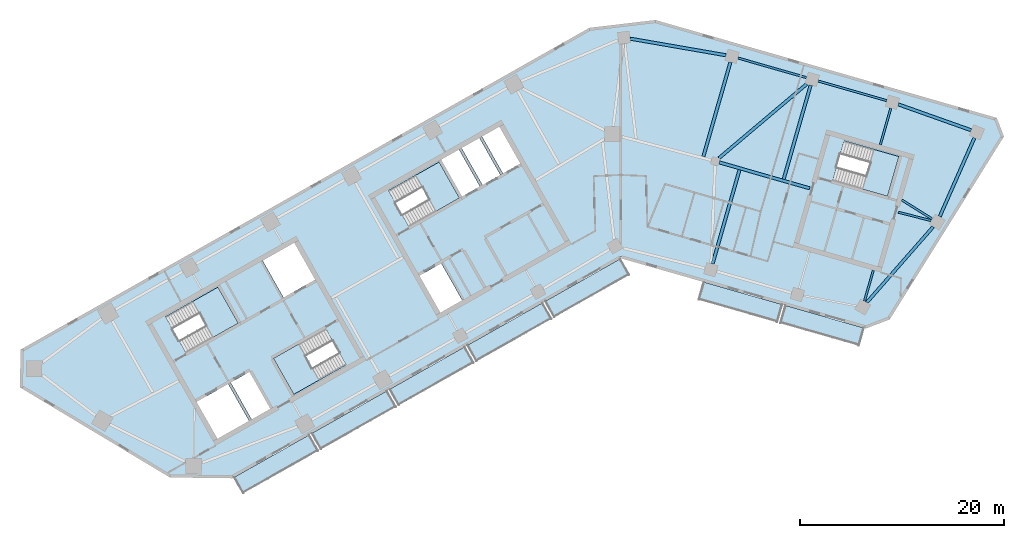
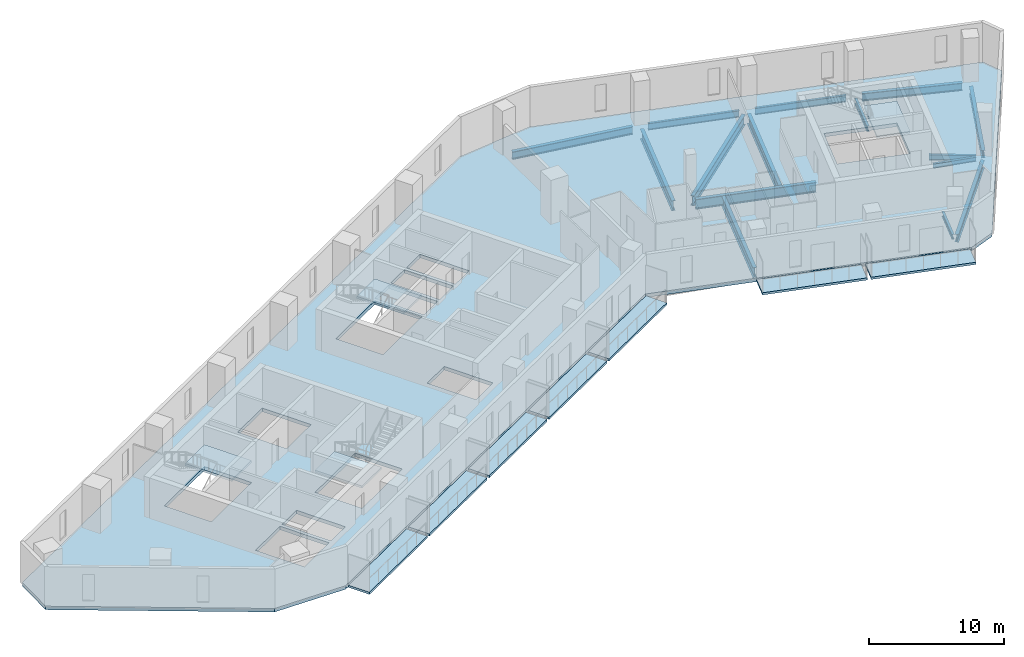
# One storey, part 2 of 9: 15 beams, 12 slabs, 4 elements without a shape of their own.
"""IFC4 building model written with IfcOpenShell, lengths in metres."""

from ifc_helpers import new_model, si_unit, direction, frame, origin, origin_2d, place, context, subcontext, project, spatial, polyline, i_section, outline, extrude, material, layer, layer_set, material_profile, profile_set, type_object, element, aggregate, save


model = new_model("IFC4")

# Units and contexts
model_context = context("Model", 3, precision=1e-05, world=origin(), true_north=direction((0.0, 1.0)))
body_context = subcontext(model_context, "Body", "Model", "MODEL_VIEW")
ifc_project = project(units=[si_unit("LENGTHUNIT", "METRE"), si_unit("AREAUNIT", "SQUARE_METRE"), si_unit("VOLUMEUNIT", "CUBIC_METRE"), si_unit("PLANEANGLEUNIT", "RADIAN"), si_unit("MASSUNIT", "GRAM", prefix="KILO")], contexts=[model_context])

# Site, building, storey
site_placement = place(None, origin())
site = spatial("IfcSite", under=ifc_project, at=site_placement, CompositionType="ELEMENT")
building_placement = place(site_placement, origin())
building = spatial("IfcBuilding", under=site, at=building_placement, Name="Binnacle Exchange Tower", CompositionType="ELEMENT")
storey_placement = place(building_placement, frame((0.0, 0.0, 174.89990234375)))
storey = spatial("IfcBuildingStorey", under=building, at=storey_placement, Name="L37", CompositionType="ELEMENT", Elevation=174.89990234375)

# Beams
ifc_material_1 = material(Name="Steel S355 (SHN355)", Category="steel")
ifc_material_profile_1 = material_profile(ifc_material_1, i_section(OverallWidth=0.201904296875, OverallDepth=0.612060546875, WebThickness=0.012939453125, FlangeThickness=0.02294921875, FilletRadius=0.02197265625, at=origin_2d()), Name="H 612x202x13x23")
ifc_profile_set_1 = profile_set([ifc_material_profile_1], Name="Steel S355 (SHN355)")
beam_type_1 = type_object("IfcBeamType", Name="Edge girder H 612x202x13x23 Steel S355 (SHN355)", PredefinedType="SPANDREL", material=ifc_profile_set_1)
for number, where, z_axis, x_axis, name in (
    (1, (18.16943359375, 65.54150390625, -0.6259765625), (-0.961255274252, 0.275659749916, 0.0), (-0.275659749916, -0.961255274252, 0.0), "S:BM:edge:L37:029"),
    (2, (26.02587890625, 63.288818359375, -0.6259765625), (-0.961267211469, 0.275618120149, 0.0), (-0.275618120149, -0.961267211469, 0.0), "S:BM:edge:L37:031"),
):
    element("IfcBeam", number, at=place(storey_placement, frame(where, z_axis=z_axis, x_axis=x_axis)), inside=storey, type_object=beam_type_1, Name=name, PredefinedType="SPANDREL", context=body_context, shape_type="SweptSolid", body=[
        extrude(i_section(OverallWidth=0.201904296875, OverallDepth=0.612060546875, WebThickness=0.012939453125, FlangeThickness=0.02294921875, FilletRadius=0.02197265625, at=origin_2d()), origin(), (0.0, 0.0, 1.0), 6.972900390625),
    ])
ifc_material_profile_2 = material_profile(ifc_material_1, i_section(OverallWidth=0.300048828125, OverallDepth=0.699951171875, WebThickness=0.012939453125, FlangeThickness=0.02392578125, FilletRadius=0.028076171875, at=origin_2d()), Name="H 700x300x13x24")
ifc_profile_set_2 = profile_set([ifc_material_profile_2], Name="Steel S355 (SHN355)")
beam_type_2 = type_object("IfcBeamType", Name="Edge girder H 700x300x13x24 Steel S355 (SHN355)", PredefinedType="SPANDREL", material=ifc_profile_set_2)
beam_1_placement = place(storey_placement, frame((31.234130859375, 51.94091796875, -0.669921875), z_axis=(0.403470856186, 0.914992496258, 0.0), x_axis=(-0.914992496258, 0.403470856186, 0.0)))
element("IfcBeam", 3, at=beam_1_placement, inside=storey, type_object=beam_type_2, Name="S:BM:edge:L37:032", PredefinedType="SPANDREL", context=body_context, shape_type="SweptSolid", body=[
    extrude(i_section(OverallWidth=0.300048828125, OverallDepth=0.699951171875, WebThickness=0.012939453125, FlangeThickness=0.02392578125, FilletRadius=0.028076171875, at=origin_2d()), origin(), (0.0, 0.0, 1.0), 8.412109375),
])
beam_2_placement = place(storey_placement, frame((34.30419921875, 60.38818359375, -0.669921875), z_axis=(-0.942327723458, 0.334691591771, 0.0), x_axis=(-0.334691591771, -0.942327723458, 0.0)))
element("IfcBeam", 4, at=beam_2_placement, inside=storey, type_object=beam_type_2, Name="S:BM:edge:L37:033", PredefinedType="SPANDREL", context=body_context, shape_type="SweptSolid", body=[
    extrude(i_section(OverallWidth=0.300048828125, OverallDepth=0.699951171875, WebThickness=0.012939453125, FlangeThickness=0.02392578125, FilletRadius=0.028076171875, at=origin_2d()), origin(), (0.0, 0.0, 1.0), 7.57177734375),
])
ifc_material_profile_3 = material_profile(ifc_material_1, i_section(OverallWidth=0.302001953125, OverallDepth=0.7080078125, WebThickness=0.014892578125, FlangeThickness=0.028076171875, FilletRadius=0.028076171875, at=origin_2d()), Name="H 708x302x15x28")
ifc_profile_set_3 = profile_set([ifc_material_profile_3], Name="Steel S355 (SHN355)")
beam_type_3 = type_object("IfcBeamType", Name="Edge girder H 708x302x15x28 Steel S355 (SHN355)", PredefinedType="SPANDREL", material=ifc_profile_set_3)
beam_3_placement = place(storey_placement, frame((10.29541015625, 67.73193359375, -0.673828125), z_axis=(-0.985309861954, 0.170776098841, 0.0), x_axis=(-0.170776098841, -0.985309861954, 0.0)))
element("IfcBeam", 5, at=beam_3_placement, inside=storey, type_object=beam_type_3, Name="S:BM:edge:L37:027", PredefinedType="SPANDREL", context=body_context, shape_type="SweptSolid", body=[
    extrude(i_section(OverallWidth=0.302001953125, OverallDepth=0.7080078125, WebThickness=0.014892578125, FlangeThickness=0.028076171875, FilletRadius=0.028076171875, at=origin_2d()), origin(), (0.0, 0.0, 1.0), 9.518310546875),
])
beam_4_placement = place(storey_placement, frame((24.09326171875, 43.5224609375, -0.673828125), z_axis=(0.659335841855, 0.751848553663, 0.0), x_axis=(-0.751848553663, 0.659335841855, 0.0)))
element("IfcBeam", 6, at=beam_4_placement, inside=storey, type_object=beam_type_3, Name="S:BM:edge:L37:030", PredefinedType="SPANDREL", context=body_context, shape_type="SweptSolid", body=[
    extrude(i_section(OverallWidth=0.302001953125, OverallDepth=0.7080078125, WebThickness=0.014892578125, FlangeThickness=0.028076171875, FilletRadius=0.028076171875, at=origin_2d()), origin(), (0.0, 0.0, 1.0), 9.851318359375),
])
ifc_material_profile_4 = material_profile(ifc_material_1, i_section(OverallWidth=0.199951171875, OverallDepth=0.449951171875, WebThickness=0.009033203125, FlangeThickness=0.013916015625, FilletRadius=0.01806640625, at=origin_2d()), Name="H 450x200x9x14")
ifc_profile_set_4 = profile_set([ifc_material_profile_4], Name="Steel S355 (SHN355)")
beam_type_4 = type_object("IfcBeamType", Name="Floor beam H 450x200x9x14 Steel S355 (SHN355)", PredefinedType="BEAM", material=ifc_profile_set_4)
beam_5_placement = place(storey_placement, frame((23.860595703125, 43.6572265625, -0.544921875), z_axis=(0.275637043779, 0.961261785414, 0.0), x_axis=(-0.961261785414, 0.275637043779, 0.0)))
element("IfcBeam", 7, at=beam_5_placement, inside=storey, type_object=beam_type_4, Name="S:BM:cross:L37:051", PredefinedType="BEAM", context=body_context, shape_type="SweptSolid", body=[
    extrude(i_section(OverallWidth=0.199951171875, OverallDepth=0.449951171875, WebThickness=0.009033203125, FlangeThickness=0.013916015625, FilletRadius=0.01806640625, at=origin_2d()), origin(), (0.0, 0.0, 1.0), 3.1328125),
])
ifc_material_profile_5 = material_profile(ifc_material_1, i_section(OverallWidth=0.199951171875, OverallDepth=0.5, WebThickness=0.010009765625, FlangeThickness=0.01611328125, FilletRadius=0.02001953125, at=origin_2d()), Name="H 500x200x10x16")
ifc_profile_set_5 = profile_set([ifc_material_profile_5], Name="Steel S355 (SHN355)")
beam_type_5 = type_object("IfcBeamType", Name="Floor beam H 500x200x10x16 Steel S355 (SHN355)", PredefinedType="BEAM", material=ifc_profile_set_5)
beam_6_placement = place(storey_placement, frame((26.437255859375, 62.546630859375, -0.56982421875), z_axis=(-0.275644746045, -0.961259576794, 0.0), x_axis=(0.961259576794, -0.275644746045, 0.0)))
element("IfcBeam", 8, at=beam_6_placement, inside=storey, type_object=beam_type_5, Name="S:BM:cross:L37:052", PredefinedType="BEAM", context=body_context, shape_type="SweptSolid", body=[
    extrude(i_section(OverallWidth=0.199951171875, OverallDepth=0.5, WebThickness=0.010009765625, FlangeThickness=0.01611328125, FilletRadius=0.02001953125, at=origin_2d()), origin(), (0.0, 0.0, 1.0), 3.735107421875),
])
beam_7_placement = place(storey_placement, frame((30.480712890625, 51.704345703125, -0.56982421875), z_axis=(-0.848084620748, 0.529860808186, 0.0), x_axis=(-0.529860808186, -0.848084620748, 0.0)))
element("IfcBeam", 9, at=beam_7_placement, inside=storey, type_object=beam_type_5, Name="S:BM:cross:L37:053", PredefinedType="BEAM", context=body_context, shape_type="SweptSolid", body=[
    extrude(i_section(OverallWidth=0.199951171875, OverallDepth=0.5, WebThickness=0.010009765625, FlangeThickness=0.01611328125, FilletRadius=0.02001953125, at=origin_2d()), origin(), (0.0, 0.0, 1.0), 3.495361328125),
])
ifc_material_profile_6 = material_profile(ifc_material_1, i_section(OverallWidth=0.302001953125, OverallDepth=0.912109375, WebThickness=0.01806640625, FlangeThickness=0.033935546875, FilletRadius=0.028076171875, at=origin_2d()), Name="H 912x302x18x34")
ifc_profile_set_6 = profile_set([ifc_material_profile_6], Name="Steel S355 (SHN355)")
beam_type_6 = type_object("IfcBeamType", Name="Floor beam H 912x302x18x34 Steel S355 (SHN355)", PredefinedType="BEAM", material=ifc_profile_set_6)
beam_8_placement = place(storey_placement, frame((8.974853515625, 47.299072265625, -0.77587890625), z_axis=(0.275642748758, 0.961260149521, 0.0), x_axis=(-0.961260149521, 0.275642748758, 0.0)))
element("IfcBeam", 10, at=beam_8_placement, inside=storey, type_object=beam_type_6, Name="S:BM:cross:L37:047", PredefinedType="BEAM", context=body_context, shape_type="SweptSolid", body=[
    extrude(i_section(OverallWidth=0.302001953125, OverallDepth=0.912109375, WebThickness=0.01806640625, FlangeThickness=0.033935546875, FilletRadius=0.028076171875, at=origin_2d()), origin(), (0.0, 0.0, 1.0), 9.585205078125),
])
beam_9_placement = place(storey_placement, frame((10.724609375, 67.05224609375, -0.77587890625), z_axis=(-0.275623285325, -0.961265730475, 0.0), x_axis=(0.961265730475, -0.275623285325, 0.0)))
element("IfcBeam", 11, at=beam_9_placement, inside=storey, type_object=beam_type_6, Name="S:BM:cross:L37:048", PredefinedType="BEAM", context=body_context, shape_type="SweptSolid", body=[
    extrude(i_section(OverallWidth=0.302001953125, OverallDepth=0.912109375, WebThickness=0.01806640625, FlangeThickness=0.033935546875, FilletRadius=0.028076171875, at=origin_2d()), origin(), (0.0, 0.0, 1.0), 9.61328125),
])
beam_10_placement = place(storey_placement, frame((18.580810546875, 64.79931640625, -0.77587890625), z_axis=(-0.275625961623, -0.961264963098, 0.0), x_axis=(0.961264963098, -0.275625961623, 0.0)))
element("IfcBeam", 12, at=beam_10_placement, inside=storey, type_object=beam_type_6, Name="S:BM:cross:L37:050", PredefinedType="BEAM", context=body_context, shape_type="SweptSolid", body=[
    extrude(i_section(OverallWidth=0.302001953125, OverallDepth=0.912109375, WebThickness=0.01806640625, FlangeThickness=0.033935546875, FilletRadius=0.028076171875, at=origin_2d()), origin(), (0.0, 0.0, 1.0), 9.5849609375),
])
ifc_material_profile_7 = material_profile(ifc_material_1, i_section(OverallWidth=0.199951171875, OverallDepth=0.39990234375, WebThickness=0.008056640625, FlangeThickness=0.012939453125, FilletRadius=0.01611328125, at=origin_2d()), Name="H 400x200x8x13")
ifc_profile_set_7 = profile_set([ifc_material_profile_7], Name="Steel S355 (SHN355)")
beam_type_7 = type_object("IfcBeamType", Name="Spine girder H 400x200x8x13 Steel S355 (SHN355)", PredefinedType="BEAM", material=ifc_profile_set_7)
beam_11_placement = place(storey_placement, frame((27.17138671875, 52.35400390625, -0.52001953125), z_axis=(0.969342999561, -0.245711516217, 0.0), x_axis=(0.245711516217, 0.969342999561, 0.0)))
element("IfcBeam", 13, at=beam_11_placement, inside=storey, type_object=beam_type_7, Name="S:BM:spine:L37:010", PredefinedType="BEAM", context=body_context, shape_type="SweptSolid", body=[
    extrude(i_section(OverallWidth=0.199951171875, OverallDepth=0.39990234375, WebThickness=0.008056640625, FlangeThickness=0.012939453125, FilletRadius=0.01611328125, at=origin_2d()), origin(), (0.0, 0.0, 1.0), 3.30859375),
])
ifc_material_profile_8 = material_profile(ifc_material_1, i_section(OverallWidth=0.302001953125, OverallDepth=0.912109375, WebThickness=0.01806640625, FlangeThickness=0.033935546875, FilletRadius=0.028076171875, at=origin_2d()), Name="H 912x302x18x34")
ifc_profile_set_8 = profile_set([ifc_material_profile_8], Name="Steel S355 (SHN355)")
beam_type_8 = type_object("IfcBeamType", Name="Spine girder H 912x302x18x34 Steel S355 (SHN355)", PredefinedType="BEAM", material=ifc_profile_set_8)
beam_12_placement = place(storey_placement, frame((9.60888671875, 57.660888671875, -0.77587890625), z_axis=(0.764057522707, 0.645148124073, 0.0), x_axis=(-0.645148124073, 0.764057522707, 0.0)))
element("IfcBeam", 14, at=beam_12_placement, inside=storey, type_object=beam_type_8, Name="S:BM:spine:L37:008", PredefinedType="BEAM", context=body_context, shape_type="SweptSolid", body=[
    extrude(i_section(OverallWidth=0.302001953125, OverallDepth=0.912109375, WebThickness=0.01806640625, FlangeThickness=0.033935546875, FilletRadius=0.028076171875, at=origin_2d()), origin(), (0.0, 0.0, 1.0), 11.237060546875),
])
beam_13_placement = place(storey_placement, frame((9.62548828125, 57.239990234375, -0.77587890625), z_axis=(0.961259511383, -0.275644974153, 0.0), x_axis=(0.275644974153, 0.961259511383, 0.0)))
element("IfcBeam", 15, at=beam_13_placement, inside=storey, type_object=beam_type_8, Name="S:BM:spine:L37:009", PredefinedType="BEAM", context=body_context, shape_type="SweptSolid", body=[
    extrude(i_section(OverallWidth=0.302001953125, OverallDepth=0.912109375, WebThickness=0.01806640625, FlangeThickness=0.033935546875, FilletRadius=0.028076171875, at=origin_2d()), origin(), (0.0, 0.0, 1.0), 9.213134765625),
])

# Slabs
ifc_material_2 = material(Name="Concrete C35/45", Category="concrete")
ifc_layer_1 = layer(ifc_material_2, 0.199951171875)
ifc_layer_set_1 = layer_set([ifc_layer_1], Name="BALCONY SLAB 200")
slab_type_1 = type_object("IfcSlabType", Name="BALCONY SLAB 200", PredefinedType="FLOOR", material=ifc_layer_set_1)
slab_1_placement = place(storey_placement, frame((0.0, 0.0, -0.199951171875)))
element("IfcSlab", 16, at=slab_1_placement, inside=storey, type_object=slab_type_1, Name="Balcony BA-G01-00 L37", PredefinedType="FLOOR", context=body_context, shape_type="SweptSolid", body=[
    extrude(outline(polyline([(-37.893310546875, 26.388671875), (-30.534912109375, 30.5517578125), (-29.648681640625, 28.985107421875), (-37.007080078125, 24.822021484375), (-37.893310546875, 26.388671875)])), origin(), (0.0, 0.0, 1.0), 0.199951171875),
])
slab_2_placement = place(storey_placement, frame((0.0, 0.0, -0.199951171875)))
element("IfcSlab", 17, at=slab_2_placement, inside=storey, type_object=slab_type_1, Name="Balcony BA-G01-01 L37", PredefinedType="FLOOR", context=body_context, shape_type="SweptSolid", body=[
    extrude(outline(polyline([(-30.27392578125, 30.699462890625), (-22.915283203125, 34.86279296875), (-22.029052734375, 33.296142578125), (-29.387451171875, 29.1328125), (-30.27392578125, 30.699462890625)])), origin(), (0.0, 0.0, 1.0), 0.199951171875),
])
slab_3_placement = place(storey_placement, frame((0.0, 0.0, -0.199951171875)))
element("IfcSlab", 18, at=slab_3_placement, inside=storey, type_object=slab_type_1, Name="Balcony BA-G01-02 L37", PredefinedType="FLOOR", context=body_context, shape_type="SweptSolid", body=[
    extrude(outline(polyline([(-22.654296875, 35.010498046875), (-15.2958984375, 39.173583984375), (-14.409423828125, 37.607177734375), (-21.767822265625, 33.44384765625), (-22.654296875, 35.010498046875)])), origin(), (0.0, 0.0, 1.0), 0.199951171875),
])
slab_4_placement = place(storey_placement, frame((0.0, 0.0, -0.199951171875)))
element("IfcSlab", 19, at=slab_4_placement, inside=storey, type_object=slab_type_1, Name="Balcony BA-G01-03 L37", PredefinedType="FLOOR", context=body_context, shape_type="SweptSolid", body=[
    extrude(outline(polyline([(-15.03466796875, 39.3212890625), (-7.67626953125, 43.484619140625), (-6.789794921875, 41.91796875), (-14.148193359375, 37.7548828125), (-15.03466796875, 39.3212890625)])), origin(), (0.0, 0.0, 1.0), 0.199951171875),
])
slab_5_placement = place(storey_placement, frame((0.0, 0.0, -0.199951171875)))
element("IfcSlab", 20, at=slab_5_placement, inside=storey, type_object=slab_type_1, Name="Balcony BA-G01-04 L37", PredefinedType="FLOOR", context=body_context, shape_type="SweptSolid", body=[
    extrude(outline(polyline([(-7.4150390625, 43.63232421875), (-0.056640625, 47.795654296875), (0.82958984375, 46.22900390625), (-6.52880859375, 42.06591796875), (-7.4150390625, 43.63232421875)])), origin(), (0.0, 0.0, 1.0), 0.199951171875),
])
slab_6_placement = place(storey_placement, frame((0.0, 0.0, -0.199951171875)))
element("IfcSlab", 21, at=slab_6_placement, inside=storey, type_object=slab_type_1, Name="Balcony BA-G02-01 L37", PredefinedType="FLOOR", context=body_context, shape_type="SweptSolid", body=[
    extrude(outline(polyline([(8.100830078125, 45.52099609375), (15.810546875, 43.310302734375), (15.314453125, 41.580078125), (7.604736328125, 43.790771484375), (8.100830078125, 45.52099609375)])), origin(), (0.0, 0.0, 1.0), 0.199951171875),
])
slab_7_placement = place(storey_placement, frame((0.0, 0.0, -0.199951171875)))
element("IfcSlab", 22, at=slab_7_placement, inside=storey, type_object=slab_type_1, Name="Balcony BA-G02-02 L37", PredefinedType="FLOOR", context=body_context, shape_type="SweptSolid", body=[
    extrude(outline(polyline([(16.09912109375, 43.2275390625), (23.80859375, 41.016845703125), (23.3125, 39.28662109375), (15.602783203125, 41.497314453125), (16.09912109375, 43.2275390625)])), origin(), (0.0, 0.0, 1.0), 0.199951171875),
])
ifc_layer_2 = layer(ifc_material_2, 0.320068359375)
ifc_layer_set_2 = layer_set([ifc_layer_2], Name="Floor slab 320 Concrete C35/45")
slab_type_2 = type_object("IfcSlabType", Name="Floor slab 320 Concrete C35/45", PredefinedType="FLOOR", material=ifc_layer_set_2)
slab_8_placement = place(storey_placement, frame((0.0, 0.0, -0.31982421875)))
element("IfcSlab", 23, at=slab_8_placement, inside=storey, type_object=slab_type_2, Name="S:SL:L37:01", PredefinedType="FLOOR", context=body_context, shape_type="SweptSolid", body=[
    extrude(outline(polyline([(-58.716064453125, 35.280029296875), (-58.669921875, 38.80615234375), (-3.046142578125, 70.276611328125), (3.364501953125, 71.035400390625), (36.71240234375, 61.472900390625), (37.359375, 59.787353515625), (26.23095703125, 41.978515625), (23.994140625, 41.119873046875), (0.0, 48.0), (-38.097900390625, 26.4453125), (-44.14404296875, 26.5244140625), (-58.716064453125, 35.280029296875)]), holes=[polyline([(-38.4794921875, 35.529296875), (-41.61279296875, 33.756591796875), (-39.544677734375, 30.10107421875), (-36.411376953125, 31.873779296875), (-38.4794921875, 35.529296875)]), polyline([(-36.390625, 36.711181640625), (-38.21826171875, 35.677001953125), (-36.150146484375, 32.021484375), (-34.322509765625, 33.0556640625), (-36.390625, 36.711181640625)]), polyline([(-32.04638671875, 34.515625), (-26.9287109375, 37.4111328125), (-28.923095703125, 40.93603515625), (-34.040771484375, 38.04052734375), (-32.04638671875, 34.515625)]), polyline([(-37.486572265625, 41.4912109375), (-39.480712890625, 45.01611328125), (-44.598388671875, 42.12060546875), (-42.604248046875, 38.595703125), (-37.486572265625, 41.4912109375)]), polyline([(-29.914306640625, 45.775390625), (-31.982666015625, 49.430908203125), (-35.115966796875, 47.657958984375), (-33.047607421875, 44.00244140625), (-29.914306640625, 45.775390625)]), polyline([(-17.81689453125, 57.27294921875), (-22.760498046875, 54.47607421875), (-20.76611328125, 50.950927734375), (-15.822509765625, 53.748046875), (-17.81689453125, 57.27294921875)]), polyline([(-15.53076171875, 43.6875), (-17.598876953125, 47.343017578125), (-19.77490234375, 46.11181640625), (-17.70654296875, 42.456298828125), (-15.53076171875, 43.6875)]), polyline([(-13.82080078125, 54.880615234375), (-15.888916015625, 58.5361328125), (-17.629638671875, 57.55126953125), (-15.5615234375, 53.895751953125), (-13.82080078125, 54.880615234375)]), polyline([(27.227783203125, 57.810302734375), (21.864013671875, 59.348388671875), (20.74755859375, 55.455078125), (26.111328125, 53.9169921875), (27.227783203125, 57.810302734375)]), polyline([(-11.819091796875, 56.01318359375), (-13.88720703125, 59.668701171875), (-15.6279296875, 58.683837890625), (-13.559814453125, 55.0283203125), (-11.819091796875, 56.01318359375)]), polyline([(-9.817138671875, 57.145751953125), (-11.885498046875, 60.80126953125), (-13.626220703125, 59.81640625), (-11.557861328125, 56.160888671875), (-9.817138671875, 57.145751953125)])]), origin(), (0.0, 0.0, 1.0), 0.31982421875),
])

# Stair, slab
stair_type = type_object("IfcStairType", Name="STAIR 24 RISERS 167", PredefinedType="HALF_TURN_STAIR", material=ifc_material_2)
stair_1_placement = place(storey_placement, origin())
stair_1 = element("IfcStair", 24, at=stair_1_placement, inside=storey, type_object=stair_type, Name="L37 Escape stair A1", PredefinedType="HALF_TURN_STAIR")
ifc_layer_3 = layer(ifc_material_2, 0.199951171875)
ifc_layer_set_3 = layer_set([ifc_layer_3], Name="STAIR LANDING 200")
slab_type_3 = type_object("IfcSlabType", Name="STAIR LANDING 200", PredefinedType="LANDING", material=ifc_layer_set_3)
slab_9_placement = place(storey_placement, frame((0.0, 0.0, 1.800048828125)))
slab_9 = element("IfcSlab", 25, at=slab_9_placement, type_object=slab_type_3, Name="STA1 landing 1", PredefinedType="LANDING", context=body_context, shape_type="SweptSolid", body=[
    extrude(outline(polyline([(-39.958251953125, 40.0927734375), (-37.486572265625, 41.4912109375), (-39.48095703125, 45.01611328125), (-41.95263671875, 43.61767578125), (-39.958251953125, 40.0927734375)])), origin(), (0.0, 0.0, 1.0), 0.199951171875),
])
aggregate(stair_1, [slab_9])

stair_2_placement = place(storey_placement, origin())
stair_2 = element("IfcStair", 26, at=stair_2_placement, inside=storey, type_object=stair_type, Name="L37 Escape stair A2", PredefinedType="HALF_TURN_STAIR")
slab_10_placement = place(storey_placement, frame((0.0, 0.0, 1.800048828125)))
slab_10 = element("IfcSlab", 27, at=slab_10_placement, type_object=slab_type_3, Name="STA2 landing 1", PredefinedType="LANDING", context=body_context, shape_type="SweptSolid", body=[
    extrude(outline(polyline([(-31.56884765625, 39.439208984375), (-34.040771484375, 38.04052734375), (-32.04638671875, 34.515625), (-29.574462890625, 35.9140625), (-31.56884765625, 39.439208984375)])), origin(), (0.0, 0.0, 1.0), 0.199951171875),
])
aggregate(stair_2, [slab_10])

stair_3_placement = place(storey_placement, origin())
stair_3 = element("IfcStair", 28, at=stair_3_placement, inside=storey, type_object=stair_type, Name="L37 Escape stair C1", PredefinedType="HALF_TURN_STAIR")
slab_11_placement = place(storey_placement, frame((0.0, 0.0, 1.800048828125)))
slab_11 = element("IfcSlab", 29, at=slab_11_placement, type_object=slab_type_3, Name="STC1 landing 1", PredefinedType="LANDING", context=body_context, shape_type="SweptSolid", body=[
    extrude(outline(polyline([(-18.120361328125, 52.447998046875), (-15.822509765625, 53.748046875), (-17.81689453125, 57.27294921875), (-20.11474609375, 55.972900390625), (-18.120361328125, 52.447998046875)])), origin(), (0.0, 0.0, 1.0), 0.199951171875),
])
aggregate(stair_3, [slab_11])

stair_4_placement = place(storey_placement, origin())
stair_4 = element("IfcStair", 30, at=stair_4_placement, inside=storey, type_object=stair_type, Name="L37 Escape stair D1", PredefinedType="HALF_TURN_STAIR")
slab_12_placement = place(storey_placement, frame((0.0, 0.0, 1.800048828125)))
slab_12 = element("IfcSlab", 31, at=slab_12_placement, type_object=slab_type_3, Name="STD1 landing 1", PredefinedType="LANDING", context=body_context, shape_type="SweptSolid", body=[
    extrude(outline(polyline([(23.669677734375, 54.6171875), (26.111328125, 53.917236328125), (27.227783203125, 57.810302734375), (24.7861328125, 58.51025390625), (23.669677734375, 54.6171875)])), origin(), (0.0, 0.0, 1.0), 0.199951171875),
])
aggregate(stair_4, [slab_12])

save(model, "model.ifc")
